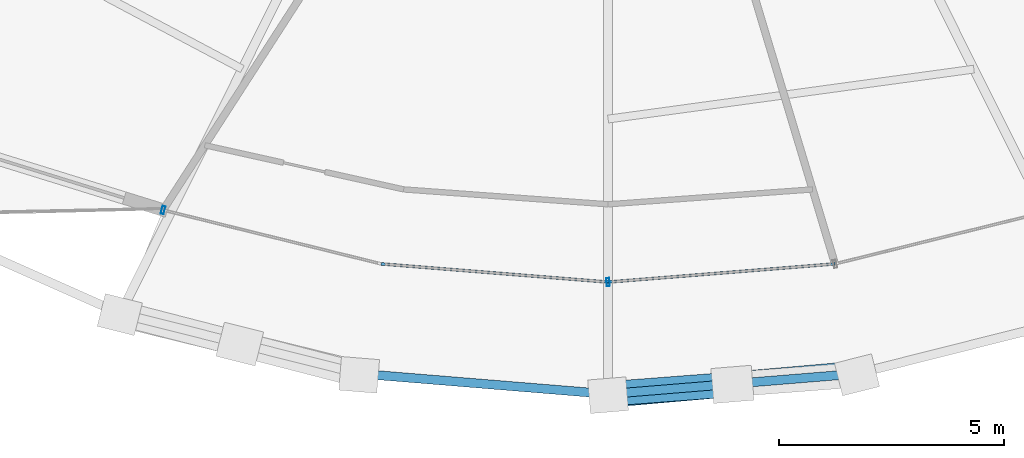
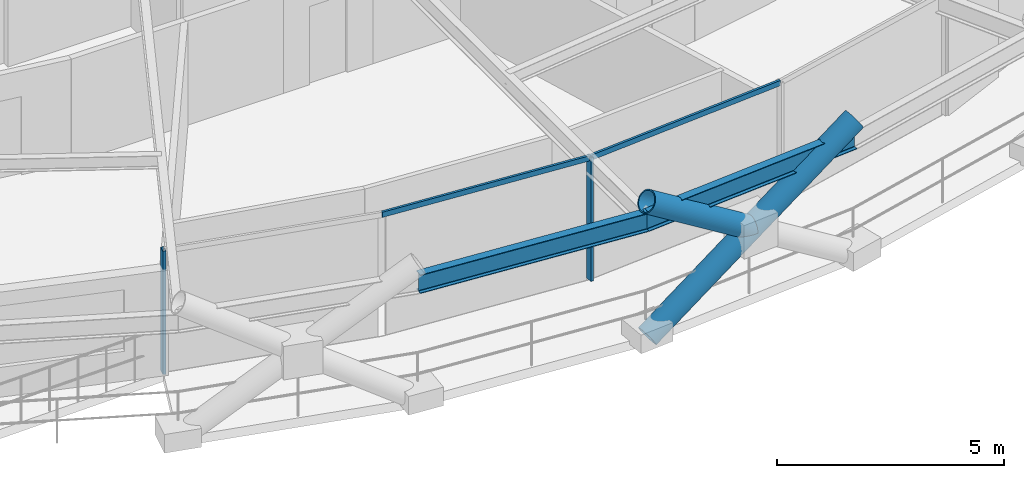
# One storey, part 2 of 21: 6 members, 2 beams, 1 element without a shape of its own.
"""IFC4 building model written with IfcOpenShell, lengths in metres."""

from ifc_helpers import new_model, si_unit, direction, frame, origin, origin_2d, place, context, subcontext, project, spatial, hollow_rectangle, hollow_circle, i_section, extrude, material, layer, layer_set, material_profile, profile_set, type_object, element, aggregate, save


model = new_model("IFC4")

# Units and contexts
model_context = context("Model", 3, precision=1e-05, world=origin(), true_north=direction((0.0, 1.0)))
body_context = subcontext(model_context, "Body", "Model", "MODEL_VIEW")
ifc_project = project(units=[si_unit("LENGTHUNIT", "METRE"), si_unit("AREAUNIT", "SQUARE_METRE"), si_unit("VOLUMEUNIT", "CUBIC_METRE"), si_unit("PLANEANGLEUNIT", "RADIAN"), si_unit("MASSUNIT", "GRAM", prefix="KILO")], contexts=[model_context])

# Site, building, storey
site_placement = place(None, origin())
site = spatial("IfcSite", under=ifc_project, at=site_placement, CompositionType="ELEMENT")
building_placement = place(site_placement, origin())
building = spatial("IfcBuilding", under=site, at=building_placement, Name="Veldorina Hangang Commons", CompositionType="ELEMENT")
storey_placement = place(building_placement, frame((0.0, 0.0, 142.39990234375)))
storey = spatial("IfcBuildingStorey", under=building, at=storey_placement, Name="L36", CompositionType="ELEMENT", Elevation=142.39990234375)

# Beams
ifc_material_1 = material(Name="Steel SM420-TMC", Category="steel")
ifc_material_profile_1 = material_profile(ifc_material_1, i_section(OverallWidth=0.199951171875, OverallDepth=0.5, WebThickness=0.010009765625, FlangeThickness=0.01611328125, FilletRadius=0.01611328125, at=origin_2d()), Name="H-500x200x10x16")
ifc_profile_set_1 = profile_set([ifc_material_profile_1], Name="Steel SM420-TMC")
beam_type = type_object("IfcBeamType", Name="BM-RB500", PredefinedType="BEAM", material=ifc_profile_set_1)
for number, where, z_axis, x_axis, name in (
    (1, (26.464111328125, 0.88916015625, 3.10009765625), (0.996670415908, -0.081535771621, 0.0), (0.081535771621, 0.996670415908, 0.0), "L36 perimeter hoop ring beam 23"),
    (2, (32.0, 0.436279296875, 3.10009765625), (0.996670415908, 0.081535771621, 0.0), (-0.081535771621, 0.996670415908, 0.0), "L36 perimeter hoop ring beam 24"),
):
    element("IfcBeam", number, at=place(storey_placement, frame(where, z_axis=z_axis, x_axis=x_axis)), inside=storey, type_object=beam_type, Name=name, PredefinedType="BEAM", context=body_context, shape_type="SweptSolid", body=[
        extrude(i_section(OverallWidth=0.199951171875, OverallDepth=0.5, WebThickness=0.010009765625, FlangeThickness=0.01611328125, FilletRadius=0.01611328125, at=origin_2d()), origin(), (0.0, 0.0, 1.0), 5.554443359375),
    ])

# Curtain wall, members
ifc_material_2 = material(Name="Glass Low-E Triple IGU", Category="glass")
ifc_layer = layer(ifc_material_2, 0.179931640625)
ifc_layer_set = layer_set([ifc_layer], Name="Glass Low-E Triple IGU")
curtain_wall_type = type_object("IfcCurtainWallType", Name="CW-SYS-Z2", PredefinedType="NOTDEFINED", material=ifc_layer_set)
curtain_wall_placement = place(storey_placement, origin())
curtain_wall = element("IfcCurtainWall", 3, at=curtain_wall_placement, inside=storey, type_object=curtain_wall_type, Name="L36 unitised curtain wall CW-L36-R1", PredefinedType="NOTDEFINED")
ifc_material_3 = material(Name="Aluminium Anodized AA6063-T6", Category="aluminium")
ifc_material_profile_2 = material_profile(ifc_material_3, hollow_rectangle(XDim=0.070068359375, YDim=0.179931640625, WallThickness=0.00390625, at=origin_2d()), Name="ALU-RHS-180x70x4")
ifc_profile_set_2 = profile_set([ifc_material_profile_2], Name="Aluminium Anodized AA6063-T6")
member_type_1 = type_object("IfcMemberType", Name="CW-MUL-180", PredefinedType="MULLION", material=ifc_profile_set_2)
member_1_placement = place(storey_placement, frame((22.090576171875, 4.53369140625, 0.0), z_axis=(0.0, 0.0, 1.0), x_axis=(0.970863047415, -0.239635020738, 0.0)))
member_1 = element("IfcMember", 4, at=member_1_placement, type_object=member_type_1, Name="CW-L36-R1 vertical mullion 1", PredefinedType="MULLION", context=body_context, shape_type="SweptSolid", body=[
    extrude(hollow_rectangle(XDim=0.070068359375, YDim=0.179931640625, WallThickness=0.00390625, at=origin_2d()), origin(), (0.0, 0.0, 1.0), 3.31005859375),
])
member_2_placement = place(storey_placement, frame((32.0, 2.9296875, 0.0), z_axis=(0.0, 0.0, 1.0), x_axis=(0.996804024502, 0.079885773056, 0.0)))
member_2 = element("IfcMember", 5, at=member_2_placement, type_object=member_type_1, Name="CW-L36-R1 vertical mullion 2", PredefinedType="MULLION", context=body_context, shape_type="SweptSolid", body=[
    extrude(hollow_rectangle(XDim=0.070068359375, YDim=0.179931640625, WallThickness=0.00390625, at=origin_2d()), origin(), (0.0, 0.0, 1.0), 3.31005859375),
])
ifc_material_profile_3 = material_profile(ifc_material_3, hollow_rectangle(XDim=0.06005859375, YDim=0.139892578125, WallThickness=0.00341796875, at=origin_2d()), Name="ALU-RHS-140x60x3.5")
ifc_profile_set_3 = profile_set([ifc_material_profile_3], Name="Aluminium Anodized AA6063-T6")
member_type_2 = type_object("IfcMemberType", Name="CW-TRN-140", PredefinedType="USERDEFINED", material=ifc_profile_set_3)
member_3_placement = place(storey_placement, frame((26.9482421875, 3.334716796875, 3.27001953125), z_axis=(0.996801324461, -0.079919456663, 0.0), x_axis=(0.079919456663, 0.996801324461, 0.0)))
member_3 = element("IfcMember", 6, at=member_3_placement, type_object=member_type_2, Name="CW-L36-R1 facet 2 transom 1", ObjectType="TRANSOM", PredefinedType="USERDEFINED", context=body_context, shape_type="SweptSolid", body=[
    extrude(hollow_rectangle(XDim=0.06005859375, YDim=0.139892578125, WallThickness=0.00341796875, at=origin_2d()), origin(), (0.0, 0.0, 1.0), 5.06787109375),
])
member_4_placement = place(storey_placement, frame((32.0, 2.9296875, 3.27001953125), z_axis=(0.996801324461, 0.079919456663, 0.0), x_axis=(-0.079919456663, 0.996801324461, 0.0)))
member_4 = element("IfcMember", 7, at=member_4_placement, type_object=member_type_2, Name="CW-L36-R1 facet 3 transom 1", ObjectType="TRANSOM", PredefinedType="USERDEFINED", context=body_context, shape_type="SweptSolid", body=[
    extrude(hollow_rectangle(XDim=0.06005859375, YDim=0.139892578125, WallThickness=0.00341796875, at=origin_2d()), origin(), (0.0, 0.0, 1.0), 5.06787109375),
])
aggregate(curtain_wall, [member_1, member_2, member_3, member_4])

# Members
ifc_material_profile_4 = material_profile(ifc_material_1, hollow_circle(Radius=0.27490234375, WallThickness=0.028076171875, at=origin_2d()), Name="CHS-550x28")
ifc_profile_set_4 = profile_set([ifc_material_profile_4], Name="Steel SM420-TMC")
member_type_3 = type_object("IfcMemberType", Name="DG-CHS550", PredefinedType="BRACE", material=ifc_profile_set_4)
member_5_placement = place(storey_placement, frame((32.0, 0.40966796875, 0.0), z_axis=(0.836037313065, 0.073053236169, 0.543787491441), x_axis=(-0.087048663223, 0.996204060537, 0.0)))
element("IfcMember", 8, at=member_5_placement, inside=storey, type_object=member_type_3, Name="L36 continuous perimeter diagrid brace 24", PredefinedType="BRACE", context=body_context, shape_type="SweptSolid", body=[
    extrude(hollow_circle(Radius=0.27490234375, WallThickness=0.028076171875, at=origin_2d()), origin(), (0.0, 0.0, 1.0), 6.620361328125),
])
member_6_placement = place(storey_placement, frame((34.76953125, 0.651611328125, 1.801513671875), z_axis=(-0.836960791804, -0.063745955934, 0.543537566398), x_axis=(0.07594365862, -0.997112110405, 0.0)))
element("IfcMember", 9, at=member_6_placement, inside=storey, type_object=member_type_3, Name="L36 split perimeter diagrid upper brace 25", PredefinedType="BRACE", context=body_context, shape_type="SweptSolid", body=[
    extrude(hollow_circle(Radius=0.27490234375, WallThickness=0.028076171875, at=origin_2d()), origin(), (0.0, 0.0, 1.0), 3.30908203125),
])

save(model, "model.ifc")
